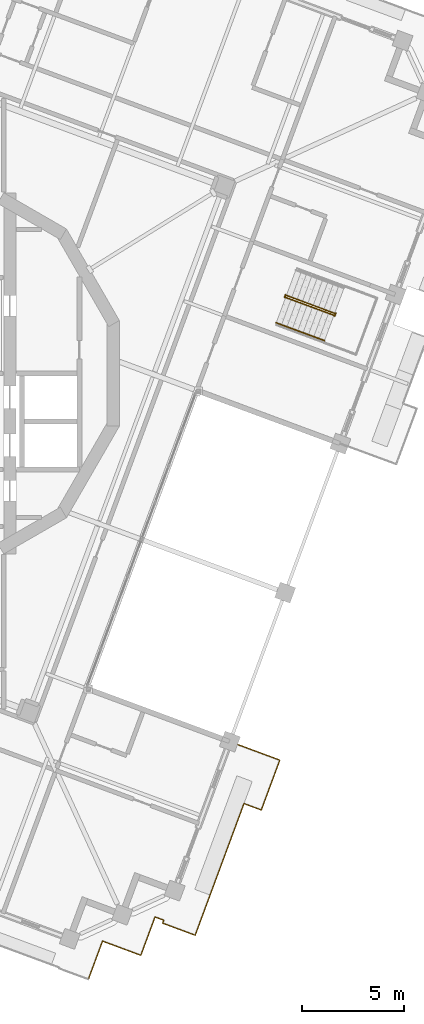
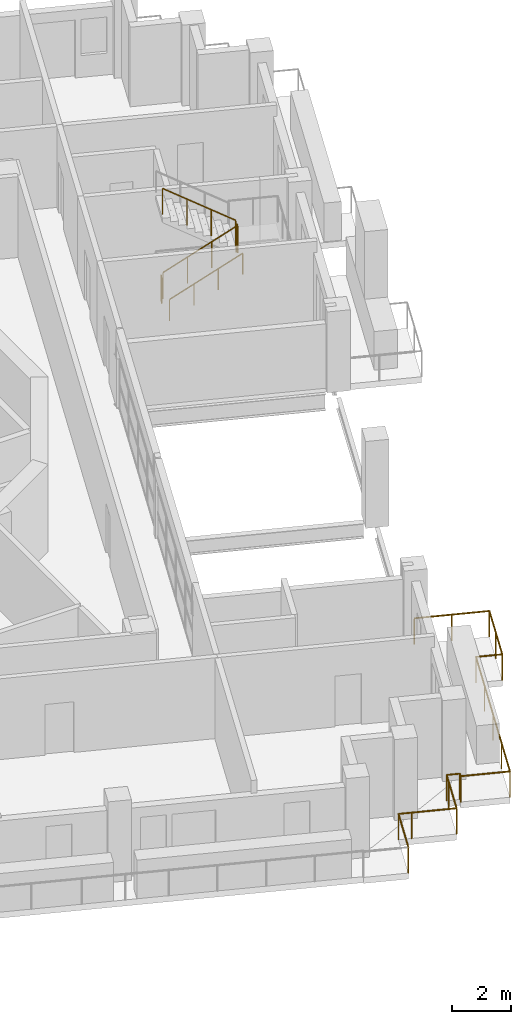
# One storey, part 15 of 19: 5 railings.
"""IFC4 building model written with IfcOpenShell, lengths in metres."""

import ifcopenshell
import ifcopenshell.guid

model = None  # the IFC model being written
_history = None  # IfcOwnerHistory: only IFC2X3 demands one
_inside = {}  # id of a spatial element -> (the spatial element, [elements in it])
_under = {}  # id of a project, library or spatial element -> (it, [spatial elements below it])
_declared = {}  # id of a project -> (the project, [libraries it declares])
_typed = {}  # id of a type object -> (the type object, [elements of that type])
_made_of = {}  # id of a material, layer set ... -> (it, [elements and type objects made of it])


def new_model(schema):
    """Start an empty IFC model of exactly this schema.

    Asked for "IFC4X3", IfcOpenShell would pick the latest addendum, in which some entities
    have other attributes; the version numbers below select the first issue.
    IFC2X3 requires an IfcOwnerHistory on every rooted entity: one is made here for all.
    """
    global model, _history
    if schema == "IFC4X3":
        model = ifcopenshell.file(schema_version=(4, 3, 0, 0))
    else:
        model = ifcopenshell.file(schema=schema)
    _inside.clear()
    _under.clear()
    _declared.clear()
    _typed.clear()
    _made_of.clear()
    _history = None
    if model.schema == "IFC2X3":
        org = make("IfcOrganization", Name="unknown")
        user = make(
            "IfcPersonAndOrganization",
            ThePerson=make("IfcPerson", FamilyName="unknown"),
            TheOrganization=org,
        )
        app = make(
            "IfcApplication",
            ApplicationDeveloper=org,
            Version="unknown",
            ApplicationFullName="unknown",
            ApplicationIdentifier="unknown",
        )
        _history = make(
            "IfcOwnerHistory",
            OwningUser=user,
            OwningApplication=app,
            ChangeAction="ADDED",
            CreationDate=0,
        )
    return model


def make(cls, **values):
    """One entity of the class cls with the attributes given. An attribute that is None is left unset."""
    return model.create_entity(
        cls, **{name: value for name, value in values.items() if value is not None}
    )


def rooted(cls, **values):
    """An entity with a GlobalId (a new one), such as an element, a storey or a relation."""
    return make(cls, GlobalId=ifcopenshell.guid.new(), OwnerHistory=_history, **values)


def si_unit(unit_type, name, prefix=None):
    """IfcSIUnit, for example si_unit("LENGTHUNIT", "METRE", prefix="MILLI")."""
    return make("IfcSIUnit", UnitType=unit_type, Prefix=prefix, Name=name)


def assignment(units):
    """IfcUnitAssignment: the units of a project."""
    return None if units is None else make("IfcUnitAssignment", Units=units)


def point(xyz):
    """IfcCartesianPoint."""
    return None if xyz is None else make("IfcCartesianPoint", Coordinates=xyz)


def direction(xyz):
    """IfcDirection."""
    return None if xyz is None else make("IfcDirection", DirectionRatios=xyz)


def frame(location, z_axis=None, x_axis=None):
    """IfcAxis2Placement3D, a coordinate frame: its origin and axes. An axis left out is left unset."""
    return make(
        "IfcAxis2Placement3D",
        Location=point(location),
        Axis=direction(z_axis),
        RefDirection=direction(x_axis),
    )


def frame_2d(location, x_axis=None):
    """IfcAxis2Placement2D, a coordinate frame in the plane: its origin and x axis."""
    return make(
        "IfcAxis2Placement2D", Location=point(location), RefDirection=direction(x_axis)
    )


def origin():
    """The frame at (0, 0, 0) with its axes left unset."""
    return frame((0.0, 0.0, 0.0))


def origin_2d():
    """The frame at (0, 0) in the plane with its x axis left unset."""
    return frame_2d((0.0, 0.0))


def place(relative_to, where):
    """IfcLocalPlacement: puts the frame where relative to a parent placement (None: the world)."""
    return make(
        "IfcLocalPlacement", PlacementRelTo=relative_to, RelativePlacement=where
    )


def context(
    kind, dimensions, precision=None, world=None, true_north=None, identifier=None
):
    """IfcGeometricRepresentationContext, for example the 3D "Model" context."""
    return make(
        "IfcGeometricRepresentationContext",
        ContextIdentifier=identifier,
        ContextType=kind,
        CoordinateSpaceDimension=dimensions,
        Precision=precision,
        WorldCoordinateSystem=world,
        TrueNorth=true_north,
    )


def subcontext(parent, identifier, kind, view, scale=None):
    """IfcGeometricRepresentationSubContext, for example "Body" below "Model"."""
    return make(
        "IfcGeometricRepresentationSubContext",
        ContextIdentifier=identifier,
        ContextType=kind,
        ParentContext=parent,
        TargetScale=scale,
        TargetView=view,
    )


def project(units=None, contexts=None):
    """IfcProject with its units and contexts."""
    return rooted(
        "IfcProject",
        Name="project",
        RepresentationContexts=contexts,
        UnitsInContext=assignment(units),
    )


def spatial(cls, under=None, at=None, **own):
    """A site, building, storey or space (cls), placed at a placement, below another one or the project."""
    s = rooted(cls, ObjectPlacement=at, **own)
    if under is not None:
        _under.setdefault(under.id(), (under, []))[1].append(s)
    return s


def profile(cls, at=None, kind="AREA", **sizes):
    """A parametric profile (cls). Its sizes go by their IFC names, for example OverallWidth=200.0."""
    return make(cls, ProfileType=kind, Position=at, **sizes)


def circle(**sizes):
    """IfcCircleProfileDef."""
    return profile("IfcCircleProfileDef", **sizes)


def extrude(swept, where, along, depth):
    """IfcExtrudedAreaSolid: the profile swept, set in the frame where, extruded along a direction by depth."""
    return make(
        "IfcExtrudedAreaSolid",
        SweptArea=swept,
        Position=where,
        ExtrudedDirection=direction(along),
        Depth=depth,
    )


def shape(context_of_items, identifier, shape_type, items):
    """IfcShapeRepresentation: the items that make up one representation, for example the "Body"."""
    return make(
        "IfcShapeRepresentation",
        ContextOfItems=context_of_items,
        RepresentationIdentifier=identifier,
        RepresentationType=shape_type,
        Items=items,
    )


def material(Name=None, Category=None):
    """IfcMaterial."""
    return make("IfcMaterial", Name=Name, Category=Category)


def made_of(thing, what):
    """Note that an element or type object is made of a material, layer set ...; save() writes the relation."""
    if what is not None:
        _made_of.setdefault(what.id(), (what, []))[1].append(thing)
    return thing


def type_object(cls, material=None, **own):
    """A type object (cls), such as IfcWallType, which elements share."""
    return made_of(rooted(cls, **own), material)


def element(
    cls,
    number,
    at=None,
    inside=None,
    cuts=None,
    type_object=None,
    material=None,
    context=None,
    identifier="Body",
    shape_type=None,
    held_by="IfcProductDefinitionShape",
    body=None,
    shapes=None,
    **own,
):
    """One element of the class cls, such as IfcWall. Its Tag is "e" and its number.

    at: its placement. inside: the storey or other place that contains it. cuts: it is an
    opening in that element (IfcRelVoidsElement). A single representation is given by context,
    identifier, shape_type and body (its items); several are given by shapes. held_by: the class
    of the entity that holds the representations. save() writes the other relations.
    """
    e = rooted(cls, Tag="e%d" % number, ObjectPlacement=at, **own)
    if body is not None:
        shapes = [shape(context, identifier, shape_type, body)]
    if shapes is not None:
        e.Representation = make(held_by, Representations=shapes)
    if inside is not None:
        _inside.setdefault(inside.id(), (inside, []))[1].append(e)
    if cuts is not None:
        rooted(
            "IfcRelVoidsElement", RelatingBuildingElement=cuts, RelatedOpeningElement=e
        )
    if type_object is not None:
        _typed.setdefault(type_object.id(), (type_object, []))[1].append(e)
    return made_of(e, material)


def aggregate(whole, parts):
    """IfcRelAggregates: a whole, such as a stair, and the parts it consists of."""
    return rooted("IfcRelAggregates", RelatingObject=whole, RelatedObjects=parts)


def save(model, path):
    """Write the relations noted so far, then the file.

    IfcRelAggregates (storeys below a building ...), IfcRelContainedInSpatialStructure (elements
    in a storey), IfcRelDefinesByType, IfcRelAssociatesMaterial and IfcRelDeclares: one each for
    every whole, place, type object, material and project.
    """
    for whole, parts in _under.values():
        aggregate(whole, parts)
    for where, things in _inside.values():
        rooted(
            "IfcRelContainedInSpatialStructure",
            RelatedElements=things,
            RelatingStructure=where,
        )
    for kind, things in _typed.values():
        rooted("IfcRelDefinesByType", RelatedObjects=things, RelatingType=kind)
    for what, things in _made_of.values():
        rooted("IfcRelAssociatesMaterial", RelatedObjects=things, RelatingMaterial=what)
    for by, libraries in _declared.values():
        rooted("IfcRelDeclares", RelatingContext=by, RelatedDefinitions=libraries)
    model.write(path)


model = new_model("IFC4")

# Units and contexts
model_context = context("Model", 3, precision=1e-05, world=origin(), true_north=direction((0.0, 1.0)))
body_context = subcontext(model_context, "Body", "Model", "MODEL_VIEW")
ifc_project = project(units=[si_unit("LENGTHUNIT", "METRE"), si_unit("AREAUNIT", "SQUARE_METRE"), si_unit("VOLUMEUNIT", "CUBIC_METRE"), si_unit("PLANEANGLEUNIT", "RADIAN"), si_unit("MASSUNIT", "GRAM", prefix="KILO")], contexts=[model_context])

# Site, building, storey
site_placement = place(None, origin())
site = spatial("IfcSite", under=ifc_project, at=site_placement, CompositionType="ELEMENT")
building_placement = place(site_placement, origin())
building = spatial("IfcBuilding", under=site, at=building_placement, Name="Cantera Rosa Tower", CompositionType="ELEMENT")
storey_placement = place(building_placement, frame((0.0, 0.0, 331.300048828125)))
storey = spatial("IfcBuildingStorey", under=building, at=storey_placement, Name="L74", CompositionType="ELEMENT", Elevation=331.300048828125)

# Railings
ifc_material_1 = material(Name="Stainless steel and laminated glass", Category="steel")
railing_type_1 = type_object("IfcRailingType", Name="GUARD 1100", PredefinedType="BALUSTRADE", material=ifc_material_1)
railing_1_placement = place(storey_placement, frame((15.092529296875, -18.038330078125, 0.0)))
element("IfcRailing", 1, at=railing_1_placement, inside=storey, type_object=railing_type_1, Name="GUARD L74-2", PredefinedType="BALUSTRADE", context=body_context, shape_type="SweptSolid", body=[
    extrude(circle(Radius=0.030029296875, at=origin_2d()), frame((0.0, 0.0, 1.070068359375), z_axis=(0.937680398266, -0.347498878713, 0.0), x_axis=(0.347498878713, 0.937680398266, 0.0)), (0.0, 0.0, 1.0), 2.58544921875),
    extrude(circle(Radius=0.030029296875, at=origin_2d()), frame((2.42431640625, -0.8984375, 1.070068359375), z_axis=(-0.347537126159, -0.937666223099, 0.0), x_axis=(0.937666223099, -0.347537126159, 0.0)), (0.0, 0.0, 1.0), 2.60546875),
    extrude(circle(Radius=0.030029296875, at=origin_2d()), frame((1.518798828125, -3.341552734375, 1.070068359375), z_axis=(-0.937641368545, 0.34760417718, 0.0), x_axis=(-0.34760417718, -0.937641368545, 0.0)), (0.0, 0.0, 1.0), 0.9052734375),
    extrude(circle(Radius=0.030029296875, at=origin_2d()), frame((0.669921875, -3.02685546875, 1.070068359375), z_axis=(-0.347493627455, -0.937682344335, 0.0), x_axis=(0.937682344335, -0.347493627455, 0.0)), (0.0, 0.0, 1.0), 6.874755859375),
    extrude(circle(Radius=0.030029296875, at=origin_2d()), frame((-1.718994140625, -9.47314453125, 1.070068359375), z_axis=(-0.93766211216, 0.347548217403, 0.0), x_axis=(-0.347548217403, -0.93766211216, 0.0)), (0.0, 0.0, 1.0), 1.699951171875),
    extrude(circle(Radius=0.030029296875, at=origin_2d()), frame((-3.31298828125, -8.88232421875, 1.070068359375), z_axis=(0.348345544994, 0.937366193802, 0.0), x_axis=(-0.937366193802, 0.348345544994, 0.0)), (0.0, 0.0, 1.0), 0.154296875),
    extrude(circle(Radius=0.030029296875, at=origin_2d()), frame((-3.25927734375, -8.73779296875, 1.070068359375), z_axis=(-0.937800612421, 0.34717432414, 0.0), x_axis=(-0.34717432414, -0.937800612421, 0.0)), (0.0, 0.0, 1.0), 0.454345703125),
    extrude(circle(Radius=0.030029296875, at=origin_2d()), frame((-3.685302734375, -8.580078125, 1.070068359375), z_axis=(-0.347349380186, -0.937735787994, 0.0), x_axis=(0.937735787994, -0.347349380186, 0.0)), (0.0, 0.0, 1.0), 0.4541015625),
    extrude(circle(Radius=0.030029296875, at=origin_2d()), frame((-3.843017578125, -9.005859375, 1.070068359375), z_axis=(-0.347468671564, -0.937691592306, 0.0), x_axis=(0.937691592306, -0.347468671564, 0.0)), (0.0, 0.0, 1.0), 1.5458984375),
    extrude(circle(Radius=0.030029296875, at=origin_2d()), frame((-4.380126953125, -10.455322265625, 1.070068359375), z_axis=(-0.937691592306, 0.347468671564, 0.0), x_axis=(-0.347468671564, -0.937691592306, 0.0)), (0.0, 0.0, 1.0), 1.5458984375),
    extrude(circle(Radius=0.030029296875, at=origin_2d()), frame((-5.82958984375, -9.918212890625, 1.070068359375), z_axis=(-0.937625552155, 0.347646837962, 0.0), x_axis=(-0.347646837962, -0.937625552155, 0.0)), (0.0, 0.0, 1.0), 0.454345703125),
    extrude(circle(Radius=0.030029296875, at=origin_2d()), frame((-6.255615234375, -9.76025390625, 1.070068359375), z_axis=(-0.347401818267, -0.937716362588, 0.0), x_axis=(0.937716362588, -0.347401818267, 0.0)), (0.0, 0.0, 1.0), 2.0),
    extrude(circle(Radius=0.02490234375, at=origin_2d()), origin(), (0.0, 0.0, 1.0), 1.0400390625),
    extrude(circle(Radius=0.02490234375, at=origin_2d()), frame((1.212158203125, -0.44921875, 0.0)), (0.0, 0.0, 1.0), 1.0400390625),
    extrude(circle(Radius=0.02490234375, at=origin_2d()), frame((2.42431640625, -0.8984375, 0.0)), (0.0, 0.0, 1.0), 1.0400390625),
    extrude(circle(Radius=0.02490234375, at=origin_2d()), frame((1.9716796875, -2.1201171875, 0.0)), (0.0, 0.0, 1.0), 1.0400390625),
    extrude(circle(Radius=0.02490234375, at=origin_2d()), frame((1.518798828125, -3.341552734375, 0.0)), (0.0, 0.0, 1.0), 1.0400390625),
    extrude(circle(Radius=0.02490234375, at=origin_2d()), frame((0.669921875, -3.02685546875, 0.0)), (0.0, 0.0, 1.0), 1.0400390625),
    extrude(circle(Radius=0.02490234375, at=origin_2d()), frame((0.07275390625, -4.638427734375, 0.0)), (0.0, 0.0, 1.0), 1.0400390625),
    extrude(circle(Radius=0.02490234375, at=origin_2d()), frame((-0.5244140625, -6.25, 0.0)), (0.0, 0.0, 1.0), 1.0400390625),
    extrude(circle(Radius=0.02490234375, at=origin_2d()), frame((-1.121826171875, -7.861572265625, 0.0)), (0.0, 0.0, 1.0), 1.0400390625),
    extrude(circle(Radius=0.02490234375, at=origin_2d()), frame((-1.718994140625, -9.47314453125, 0.0)), (0.0, 0.0, 1.0), 1.0400390625),
    extrude(circle(Radius=0.02490234375, at=origin_2d()), frame((-3.31298828125, -8.88232421875, 0.0)), (0.0, 0.0, 1.0), 1.0400390625),
    extrude(circle(Radius=0.02490234375, at=origin_2d()), frame((-3.25927734375, -8.73779296875, 0.0)), (0.0, 0.0, 1.0), 1.0400390625),
    extrude(circle(Radius=0.02490234375, at=origin_2d()), frame((-3.685302734375, -8.580078125, 0.0)), (0.0, 0.0, 1.0), 1.0400390625),
    extrude(circle(Radius=0.02490234375, at=origin_2d()), frame((-3.843017578125, -9.005859375, 0.0)), (0.0, 0.0, 1.0), 1.0400390625),
    extrude(circle(Radius=0.02490234375, at=origin_2d()), frame((-4.380126953125, -10.455322265625, 0.0)), (0.0, 0.0, 1.0), 1.0400390625),
    extrude(circle(Radius=0.02490234375, at=origin_2d()), frame((-5.82958984375, -9.918212890625, 0.0)), (0.0, 0.0, 1.0), 1.0400390625),
    extrude(circle(Radius=0.02490234375, at=origin_2d()), frame((-6.255615234375, -9.76025390625, 0.0)), (0.0, 0.0, 1.0), 1.0400390625),
    extrude(circle(Radius=0.02490234375, at=origin_2d()), frame((-6.950439453125, -11.6357421875, 0.0)), (0.0, 0.0, 1.0), 1.0400390625),
])
ifc_material_2 = material(Name="Steel S355J2 (EN 10025-2)", Category="steel")
railing_type_2 = type_object("IfcRailingType", Name="STAIR GUARD 1100", PredefinedType="GUARDRAIL", material=ifc_material_2)
railing_2_placement = place(storey_placement, frame((17.802490234375, 3.721923828125, 0.179931640625)))
element("IfcRailing", 2, at=railing_2_placement, inside=storey, type_object=railing_type_2, Name="L74 ST-61 stair guard 1", PredefinedType="GUARDRAIL", context=body_context, shape_type="SweptSolid", body=[
    extrude(circle(Radius=0.02392578125, at=origin_2d()), frame((0.0, 0.0, 1.076171875), z_axis=(0.788747577403, -0.292306804437, 0.540771662738), x_axis=(0.347500508527, 0.937679794265, 0.0)), (0.0, 0.0, 1.0), 2.995849609375),
    extrude(circle(Radius=0.02392578125, at=origin_2d()), frame((2.363037109375, -0.875732421875, 2.6962890625), z_axis=(0.671593765389, -0.740919573429, 0.0), x_axis=(0.740919573429, 0.671593765389, 0.0)), (0.0, 0.0, 1.0), 0.056396484375),
    extrude(circle(Radius=0.02392578125, at=origin_2d()), frame((2.40087890625, -0.91748046875, 2.6962890625), z_axis=(0.348268249601, 0.937394914814, 0.0), x_axis=(-0.937394914814, 0.348268249601, 0.0)), (0.0, 0.0, 1.0), 0.14990234375),
    extrude(circle(Radius=0.02099609375, at=origin_2d()), origin(), (0.0, 0.0, 1.0), 1.052001953125),
    extrude(circle(Radius=0.02099609375, at=origin_2d()), frame((0.78759765625, -0.2919921875, 0.5400390625)), (0.0, 0.0, 1.0), 1.052001953125),
    extrude(circle(Radius=0.02099609375, at=origin_2d()), frame((1.575439453125, -0.583740234375, 1.080078125)), (0.0, 0.0, 1.0), 1.052001953125),
    extrude(circle(Radius=0.02099609375, at=origin_2d()), frame((2.363037109375, -0.875732421875, 1.6201171875)), (0.0, 0.0, 1.0), 1.052001953125),
    extrude(circle(Radius=0.02099609375, at=origin_2d()), frame((2.40087890625, -0.91748046875, 1.6201171875)), (0.0, 0.0, 1.0), 1.052001953125),
    extrude(circle(Radius=0.02099609375, at=origin_2d()), frame((2.453125, -0.77685546875, 1.6201171875)), (0.0, 0.0, 1.0), 1.052001953125),
])
railing_3_placement = place(storey_placement, frame((20.19970703125, 2.93798828125, 1.97998046875)))
element("IfcRailing", 3, at=railing_3_placement, inside=storey, type_object=railing_type_2, Name="L74 ST-61 stair guard 2", PredefinedType="GUARDRAIL", context=body_context, shape_type="SweptSolid", body=[
    extrude(circle(Radius=0.02392578125, at=origin_2d()), frame((0.0, 0.0, 1.076171875), z_axis=(-0.78878233546, 0.292319685639, 0.540713998944), x_axis=(-0.347500508527, -0.937679794265, 0.0)), (0.0, 0.0, 1.0), 2.995849609375),
    extrude(circle(Radius=0.02099609375, at=origin_2d()), origin(), (0.0, 0.0, 1.0), 1.052001953125),
    extrude(circle(Radius=0.02099609375, at=origin_2d()), frame((-0.78759765625, 0.2919921875, 0.5400390625)), (0.0, 0.0, 1.0), 1.052001953125),
    extrude(circle(Radius=0.02099609375, at=origin_2d()), frame((-1.575439453125, 0.583740234375, 1.079833984375)), (0.0, 0.0, 1.0), 1.052001953125),
    extrude(circle(Radius=0.02099609375, at=origin_2d()), frame((-2.363037109375, 0.875732421875, 1.619873046875)), (0.0, 0.0, 1.0), 1.052001953125),
])
railing_4_placement = place(storey_placement, frame((17.74658203125, 3.71484375, 0.0)))
element("IfcRailing", 4, at=railing_4_placement, inside=storey, type_object=railing_type_2, Name="L74 ST-61 stair guard 3", PredefinedType="GUARDRAIL", context=body_context, shape_type="SweptSolid", body=[
    extrude(circle(Radius=0.02392578125, at=origin_2d()), frame((0.0, 0.0, 1.076171875), z_axis=(0.348268249601, 0.937394914814, 0.0), x_axis=(-0.937394914814, 0.348268249601, 0.0)), (0.0, 0.0, 1.0), 0.14990234375),
    extrude(circle(Radius=0.02099609375, at=origin_2d()), origin(), (0.0, 0.0, 1.0), 1.052001953125),
    extrude(circle(Radius=0.02099609375, at=origin_2d()), frame((0.05224609375, 0.140625, 0.0)), (0.0, 0.0, 1.0), 1.052001953125),
])
ifc_material_3 = material(Name="Steel S355J2 (EN 10025-2)", Category="steel")
railing_type_3 = type_object("IfcRailingType", Name="STAIR HANDRAIL 900", PredefinedType="HANDRAIL", material=ifc_material_3)
railing_5_placement = place(storey_placement, frame((17.341796875, 2.478515625, 0.179931640625)))
element("IfcRailing", 5, at=railing_5_placement, inside=storey, type_object=railing_type_3, Name="L74 ST-61 stair handrail 1", PredefinedType="HANDRAIL", context=body_context, shape_type="SweptSolid", body=[
    extrude(circle(Radius=0.02392578125, at=origin_2d()), frame((0.0, 0.0, 0.8759765625), z_axis=(0.788747577403, -0.292306804437, 0.540771662738), x_axis=(0.347500508527, 0.937679794265, 0.0)), (0.0, 0.0, 1.0), 2.995849609375),
    extrude(circle(Radius=0.02099609375, at=origin_2d()), origin(), (0.0, 0.0, 1.0), 0.851806640625),
    extrude(circle(Radius=0.02099609375, at=origin_2d()), frame((0.78759765625, -0.2919921875, 0.5400390625)), (0.0, 0.0, 1.0), 0.851806640625),
    extrude(circle(Radius=0.02099609375, at=origin_2d()), frame((1.575439453125, -0.583740234375, 1.080078125)), (0.0, 0.0, 1.0), 0.851806640625),
    extrude(circle(Radius=0.02099609375, at=origin_2d()), frame((2.363037109375, -0.875732421875, 1.6201171875)), (0.0, 0.0, 1.0), 0.851806640625),
])

save(model, "model.ifc")
